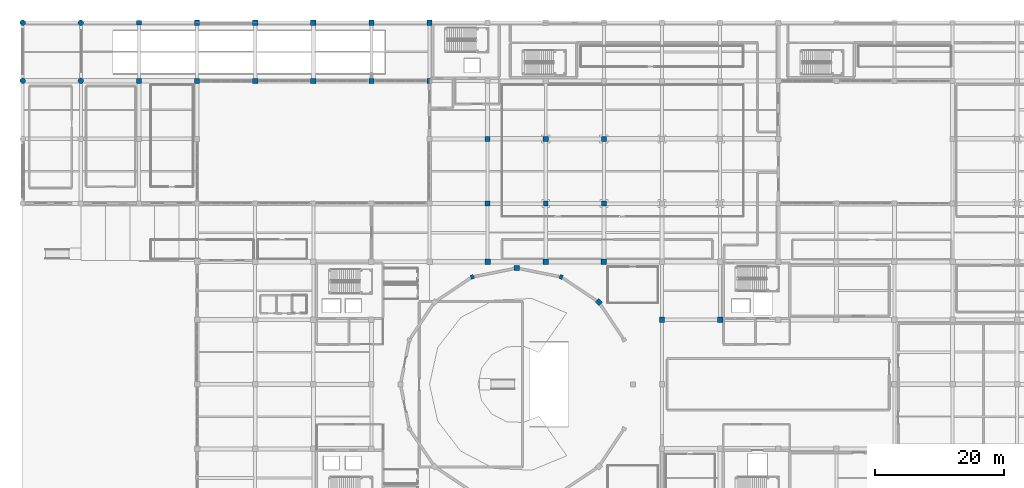
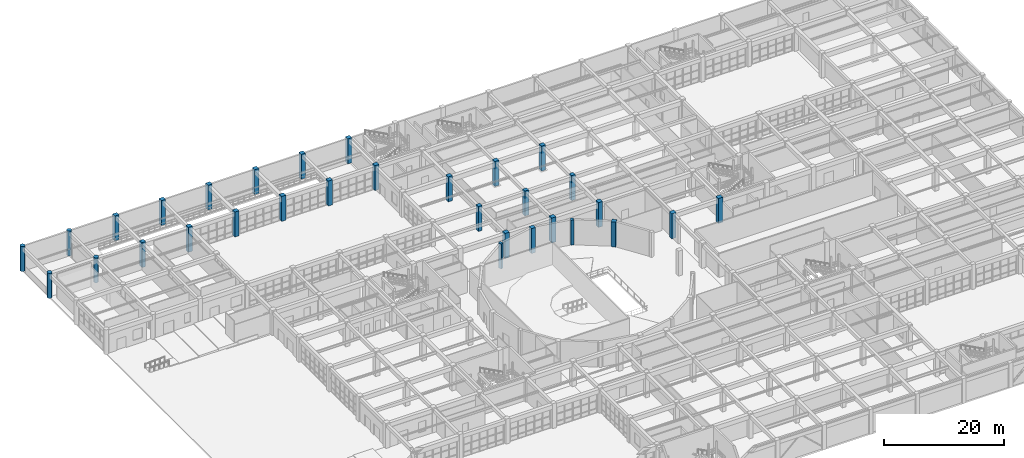
# One storey, part 10 of 128: 31 columns.
"""IFC4 building model written with IfcOpenShell, lengths in metres."""

import ifcopenshell
import ifcopenshell.guid

model = None  # the IFC model being written
_history = None  # IfcOwnerHistory: only IFC2X3 demands one
_inside = {}  # id of a spatial element -> (the spatial element, [elements in it])
_under = {}  # id of a project, library or spatial element -> (it, [spatial elements below it])
_declared = {}  # id of a project -> (the project, [libraries it declares])
_typed = {}  # id of a type object -> (the type object, [elements of that type])
_made_of = {}  # id of a material, layer set ... -> (it, [elements and type objects made of it])


def new_model(schema):
    """Start an empty IFC model of exactly this schema.

    Asked for "IFC4X3", IfcOpenShell would pick the latest addendum, in which some entities
    have other attributes; the version numbers below select the first issue.
    IFC2X3 requires an IfcOwnerHistory on every rooted entity: one is made here for all.
    """
    global model, _history
    if schema == "IFC4X3":
        model = ifcopenshell.file(schema_version=(4, 3, 0, 0))
    else:
        model = ifcopenshell.file(schema=schema)
    _inside.clear()
    _under.clear()
    _declared.clear()
    _typed.clear()
    _made_of.clear()
    _history = None
    if model.schema == "IFC2X3":
        org = make("IfcOrganization", Name="unknown")
        user = make(
            "IfcPersonAndOrganization",
            ThePerson=make("IfcPerson", FamilyName="unknown"),
            TheOrganization=org,
        )
        app = make(
            "IfcApplication",
            ApplicationDeveloper=org,
            Version="unknown",
            ApplicationFullName="unknown",
            ApplicationIdentifier="unknown",
        )
        _history = make(
            "IfcOwnerHistory",
            OwningUser=user,
            OwningApplication=app,
            ChangeAction="ADDED",
            CreationDate=0,
        )
    return model


def make(cls, **values):
    """One entity of the class cls with the attributes given. An attribute that is None is left unset."""
    return model.create_entity(
        cls, **{name: value for name, value in values.items() if value is not None}
    )


def rooted(cls, **values):
    """An entity with a GlobalId (a new one), such as an element, a storey or a relation."""
    return make(cls, GlobalId=ifcopenshell.guid.new(), OwnerHistory=_history, **values)


def si_unit(unit_type, name, prefix=None):
    """IfcSIUnit, for example si_unit("LENGTHUNIT", "METRE", prefix="MILLI")."""
    return make("IfcSIUnit", UnitType=unit_type, Prefix=prefix, Name=name)


def assignment(units):
    """IfcUnitAssignment: the units of a project."""
    return None if units is None else make("IfcUnitAssignment", Units=units)


def point(xyz):
    """IfcCartesianPoint."""
    return None if xyz is None else make("IfcCartesianPoint", Coordinates=xyz)


def direction(xyz):
    """IfcDirection."""
    return None if xyz is None else make("IfcDirection", DirectionRatios=xyz)


def frame(location, z_axis=None, x_axis=None):
    """IfcAxis2Placement3D, a coordinate frame: its origin and axes. An axis left out is left unset."""
    return make(
        "IfcAxis2Placement3D",
        Location=point(location),
        Axis=direction(z_axis),
        RefDirection=direction(x_axis),
    )


def frame_2d(location, x_axis=None):
    """IfcAxis2Placement2D, a coordinate frame in the plane: its origin and x axis."""
    return make(
        "IfcAxis2Placement2D", Location=point(location), RefDirection=direction(x_axis)
    )


def origin():
    """The frame at (0, 0, 0) with its axes left unset."""
    return frame((0.0, 0.0, 0.0))


def origin_2d():
    """The frame at (0, 0) in the plane with its x axis left unset."""
    return frame_2d((0.0, 0.0))


def place(relative_to, where):
    """IfcLocalPlacement: puts the frame where relative to a parent placement (None: the world)."""
    return make(
        "IfcLocalPlacement", PlacementRelTo=relative_to, RelativePlacement=where
    )


def context(
    kind, dimensions, precision=None, world=None, true_north=None, identifier=None
):
    """IfcGeometricRepresentationContext, for example the 3D "Model" context."""
    return make(
        "IfcGeometricRepresentationContext",
        ContextIdentifier=identifier,
        ContextType=kind,
        CoordinateSpaceDimension=dimensions,
        Precision=precision,
        WorldCoordinateSystem=world,
        TrueNorth=true_north,
    )


def subcontext(parent, identifier, kind, view, scale=None):
    """IfcGeometricRepresentationSubContext, for example "Body" below "Model"."""
    return make(
        "IfcGeometricRepresentationSubContext",
        ContextIdentifier=identifier,
        ContextType=kind,
        ParentContext=parent,
        TargetScale=scale,
        TargetView=view,
    )


def project(units=None, contexts=None):
    """IfcProject with its units and contexts."""
    return rooted(
        "IfcProject",
        Name="project",
        RepresentationContexts=contexts,
        UnitsInContext=assignment(units),
    )


def spatial(cls, under=None, at=None, **own):
    """A site, building, storey or space (cls), placed at a placement, below another one or the project."""
    s = rooted(cls, ObjectPlacement=at, **own)
    if under is not None:
        _under.setdefault(under.id(), (under, []))[1].append(s)
    return s


def profile(cls, at=None, kind="AREA", **sizes):
    """A parametric profile (cls). Its sizes go by their IFC names, for example OverallWidth=200.0."""
    return make(cls, ProfileType=kind, Position=at, **sizes)


def rectangle(**sizes):
    """IfcRectangleProfileDef."""
    return profile("IfcRectangleProfileDef", **sizes)


def circle(**sizes):
    """IfcCircleProfileDef."""
    return profile("IfcCircleProfileDef", **sizes)


def extrude(swept, where, along, depth):
    """IfcExtrudedAreaSolid: the profile swept, set in the frame where, extruded along a direction by depth."""
    return make(
        "IfcExtrudedAreaSolid",
        SweptArea=swept,
        Position=where,
        ExtrudedDirection=direction(along),
        Depth=depth,
    )


def shape(context_of_items, identifier, shape_type, items):
    """IfcShapeRepresentation: the items that make up one representation, for example the "Body"."""
    return make(
        "IfcShapeRepresentation",
        ContextOfItems=context_of_items,
        RepresentationIdentifier=identifier,
        RepresentationType=shape_type,
        Items=items,
    )


def material(Name=None, Category=None):
    """IfcMaterial."""
    return make("IfcMaterial", Name=Name, Category=Category)


def material_profile(
    of_material, cross_section, Name=None, Category=None, Priority=None
):
    """IfcMaterialProfile: a cross section and its material."""
    return make(
        "IfcMaterialProfile",
        Name=Name,
        Material=of_material,
        Profile=cross_section,
        Priority=Priority,
        Category=Category,
    )


def profile_set(profiles, Name=None, composite=None):
    """IfcMaterialProfileSet."""
    return make(
        "IfcMaterialProfileSet",
        Name=Name,
        MaterialProfiles=profiles,
        CompositeProfile=composite,
    )


def made_of(thing, what):
    """Note that an element or type object is made of a material, layer set ...; save() writes the relation."""
    if what is not None:
        _made_of.setdefault(what.id(), (what, []))[1].append(thing)
    return thing


def type_object(cls, material=None, **own):
    """A type object (cls), such as IfcWallType, which elements share."""
    return made_of(rooted(cls, **own), material)


def element(
    cls,
    number,
    at=None,
    inside=None,
    cuts=None,
    type_object=None,
    material=None,
    context=None,
    identifier="Body",
    shape_type=None,
    held_by="IfcProductDefinitionShape",
    body=None,
    shapes=None,
    **own,
):
    """One element of the class cls, such as IfcWall. Its Tag is "e" and its number.

    at: its placement. inside: the storey or other place that contains it. cuts: it is an
    opening in that element (IfcRelVoidsElement). A single representation is given by context,
    identifier, shape_type and body (its items); several are given by shapes. held_by: the class
    of the entity that holds the representations. save() writes the other relations.
    """
    e = rooted(cls, Tag="e%d" % number, ObjectPlacement=at, **own)
    if body is not None:
        shapes = [shape(context, identifier, shape_type, body)]
    if shapes is not None:
        e.Representation = make(held_by, Representations=shapes)
    if inside is not None:
        _inside.setdefault(inside.id(), (inside, []))[1].append(e)
    if cuts is not None:
        rooted(
            "IfcRelVoidsElement", RelatingBuildingElement=cuts, RelatedOpeningElement=e
        )
    if type_object is not None:
        _typed.setdefault(type_object.id(), (type_object, []))[1].append(e)
    return made_of(e, material)


def aggregate(whole, parts):
    """IfcRelAggregates: a whole, such as a stair, and the parts it consists of."""
    return rooted("IfcRelAggregates", RelatingObject=whole, RelatedObjects=parts)


def save(model, path):
    """Write the relations noted so far, then the file.

    IfcRelAggregates (storeys below a building ...), IfcRelContainedInSpatialStructure (elements
    in a storey), IfcRelDefinesByType, IfcRelAssociatesMaterial and IfcRelDeclares: one each for
    every whole, place, type object, material and project.
    """
    for whole, parts in _under.values():
        aggregate(whole, parts)
    for where, things in _inside.values():
        rooted(
            "IfcRelContainedInSpatialStructure",
            RelatedElements=things,
            RelatingStructure=where,
        )
    for kind, things in _typed.values():
        rooted("IfcRelDefinesByType", RelatedObjects=things, RelatingType=kind)
    for what, things in _made_of.values():
        rooted("IfcRelAssociatesMaterial", RelatedObjects=things, RelatingMaterial=what)
    for by, libraries in _declared.values():
        rooted("IfcRelDeclares", RelatingContext=by, RelatedDefinitions=libraries)
    model.write(path)


model = new_model("IFC4")

# Units and contexts
model_context = context("Model", 3, precision=1e-05, world=origin(), true_north=direction((0.0, 1.0)))
body_context = subcontext(model_context, "Body", "Model", "MODEL_VIEW")
ifc_project = project(units=[si_unit("LENGTHUNIT", "METRE"), si_unit("AREAUNIT", "SQUARE_METRE"), si_unit("VOLUMEUNIT", "CUBIC_METRE"), si_unit("PLANEANGLEUNIT", "RADIAN"), si_unit("MASSUNIT", "GRAM", prefix="KILO")], contexts=[model_context])

# Site, building, storey
site_placement = place(None, origin())
site = spatial("IfcSite", under=ifc_project, at=site_placement, CompositionType="ELEMENT")
building_placement = place(site_placement, origin())
building = spatial("IfcBuilding", under=site, at=building_placement, Name="Miravela Opera House", CompositionType="ELEMENT")
storey_placement = place(building_placement, origin())
storey = spatial("IfcBuildingStorey", under=building, at=storey_placement, Name="L00", CompositionType="ELEMENT", Elevation=0.0)

# Columns
ifc_material_1 = material(Name="Concrete C35/45", Category="concrete")
ifc_material_profile_1 = material_profile(ifc_material_1, rectangle(XDim=0.75, YDim=0.75, at=origin_2d()), Name="RC-COL-750X750")
ifc_profile_set_1 = profile_set([ifc_material_profile_1])
column_type_1 = type_object("IfcColumnType", Name="STR-COL-RC750", PredefinedType="COLUMN", material=ifc_profile_set_1)
for number, where, z_axis, x_axis, name in (
    (1, (81.0, 84.0, 0.0), (0.0, 0.0, 1.0), (1.0, 0.0, 0.0), "Column C-10J (L00)"),
    (2, (90.0, 84.0, 0.0), (0.0, 0.0, 1.0), (1.0, 0.0, 0.0), "Column C-11J (L00)"),
    (3, (18.0, 103.0, 0.0), (0.0, 0.0, 1.0), (1.0, 0.0, 0.0), "Column C-3L (L00)"),
    (4, (18.0, 112.0, 0.0), (0.0, 0.0, 1.0), (1.0, 0.0, 0.0), "Column C-3M (L00)"),
    (5, (72.0, 84.0, 0.0), (0.0, 0.0, 1.0), (1.0, 0.0, 0.0), "Column C-9J (L00)"),
):
    element("IfcColumn", number, at=place(storey_placement, frame(where, z_axis=z_axis, x_axis=x_axis)), inside=storey, type_object=column_type_1, Name=name, PredefinedType="COLUMN", context=body_context, shape_type="SweptSolid", body=[
        extrude(rectangle(XDim=0.75, YDim=0.75, at=origin_2d()), origin(), (0.0, 0.0, 1.0), 5.10009765625),
    ])
ifc_material_2 = material(Name="Concrete C40/50", Category="concrete")
ifc_material_profile_2 = material_profile(ifc_material_2, rectangle(XDim=0.800048828125, YDim=0.800048828125, at=origin_2d()), Name="RC-COL-800X800")
ifc_profile_set_2 = profile_set([ifc_material_profile_2])
column_type_2 = type_object("IfcColumnType", Name="STR-COL-RC800", PredefinedType="COLUMN", material=ifc_profile_set_2)
for number, where, z_axis, x_axis, name in (
    (6, (81.0, 94.0, 0.0), (0.0, 0.0, 1.0), (1.0, 0.0, 0.0), "Column C-10K (L00)"),
    (7, (90.0, 94.0, 0.0), (0.0, 0.0, 1.0), (1.0, 0.0, 0.0), "Column C-11K (L00)"),
    (8, (27.0, 103.0, 0.0), (0.0, 0.0, 1.0), (1.0, 0.0, 0.0), "Column C-4L (L00)"),
    (9, (27.0, 112.0, 0.0), (0.0, 0.0, 1.0), (1.0, 0.0, 0.0), "Column C-4M (L00)"),
    (10, (36.0, 103.0, 0.0), (0.0, 0.0, 1.0), (1.0, 0.0, 0.0), "Column C-5L (L00)"),
    (11, (36.0, 112.0, 0.0), (0.0, 0.0, 1.0), (1.0, 0.0, 0.0), "Column C-5M (L00)"),
    (12, (45.0, 103.0, 0.0), (0.0, 0.0, 1.0), (1.0, 0.0, 0.0), "Column C-6L (L00)"),
    (13, (45.0, 112.0, 0.0), (0.0, 0.0, 1.0), (1.0, 0.0, 0.0), "Column C-6M (L00)"),
    (14, (54.0, 103.0, 0.0), (0.0, 0.0, 1.0), (1.0, 0.0, 0.0), "Column C-7L (L00)"),
    (15, (54.0, 112.0, 0.0), (0.0, 0.0, 1.0), (1.0, 0.0, 0.0), "Column C-7M (L00)"),
    (16, (63.0, 103.0, 0.0), (0.0, 0.0, 1.0), (1.0, 0.0, 0.0), "Column C-8L (L00)"),
    (17, (63.0, 112.0, 0.0), (0.0, 0.0, 1.0), (1.0, 0.0, 0.0), "Column C-8M (L00)"),
    (18, (72.0, 94.0, 0.0), (0.0, 0.0, 1.0), (1.0, 0.0, 0.0), "Column C-9K (L00)"),
):
    element("IfcColumn", number, at=place(storey_placement, frame(where, z_axis=z_axis, x_axis=x_axis)), inside=storey, type_object=column_type_2, Name=name, PredefinedType="COLUMN", context=body_context, shape_type="SweptSolid", body=[
        extrude(rectangle(XDim=0.800048828125, YDim=0.800048828125, at=origin_2d()), origin(), (0.0, 0.0, 1.0), 5.10009765625),
    ])
ifc_material_profile_3 = material_profile(ifc_material_2, rectangle(XDim=0.85009765625, YDim=0.85009765625, at=origin_2d()), Name="RC-COL-850X850")
ifc_profile_set_3 = profile_set([ifc_material_profile_3])
column_type_3 = type_object("IfcColumnType", Name="STR-COL-RC850", PredefinedType="COLUMN", material=ifc_profile_set_3)
for number, where, z_axis, x_axis, name in (
    (19, (81.0, 75.0, 0.0), (0.0, 0.0, 1.0), (1.0, 0.0, 0.0), "Column C-10I (L00)"),
    (20, (90.0, 75.0, 0.0), (0.0, 0.0, 1.0), (1.0, 0.0, 0.0), "Column C-11I (L00)"),
    (21, (99.0, 66.0, 0.0), (0.0, 0.0, 1.0), (1.0, 0.0, 0.0), "Column C-12H (L00)"),
    (22, (108.0, 66.0, 0.0), (0.0, 0.0, 1.0), (1.0, 0.0, 0.0), "Column C-13H (L00)"),
    (23, (72.0, 75.0, 0.0), (0.0, 0.0, 1.0), (1.0, 0.0, 0.0), "Column C-9I (L00)"),
):
    element("IfcColumn", number, at=place(storey_placement, frame(where, z_axis=z_axis, x_axis=x_axis)), inside=storey, type_object=column_type_3, Name=name, PredefinedType="COLUMN", context=body_context, shape_type="SweptSolid", body=[
        extrude(rectangle(XDim=0.85009765625, YDim=0.85009765625, at=origin_2d()), origin(), (0.0, 0.0, 1.0), 5.10009765625),
    ])
ifc_material_profile_4 = material_profile(ifc_material_2, circle(Radius=0.425048828125, at=origin_2d()), Name="RC-COL-D850")
ifc_profile_set_4 = profile_set([ifc_material_profile_4])
column_type_4 = type_object("IfcColumnType", Name="STR-COL-RCD850", PredefinedType="COLUMN", material=ifc_profile_set_4)
for number, where, z_axis, x_axis, name in (
    (24, (0.0, 103.0, 0.0), (0.0, 0.0, 1.0), (1.0, 0.0, 0.0), "Column C-1L (L00)"),
    (25, (0.0, 112.0, 0.0), (0.0, 0.0, 1.0), (1.0, 0.0, 0.0), "Column C-1M (L00)"),
    (26, (9.0, 103.0, 0.0), (0.0, 0.0, 1.0), (1.0, 0.0, 0.0), "Column C-2L (L00)"),
    (27, (9.0, 112.0, 0.0), (0.0, 0.0, 1.0), (1.0, 0.0, 0.0), "Column C-2M (L00)"),
):
    element("IfcColumn", number, at=place(storey_placement, frame(where, z_axis=z_axis, x_axis=x_axis)), inside=storey, type_object=column_type_4, Name=name, PredefinedType="COLUMN", context=body_context, shape_type="SweptSolid", body=[
        extrude(circle(Radius=0.425048828125, at=origin_2d()), origin(), (0.0, 0.0, 1.0), 5.10009765625),
    ])
ifc_material_profile_5 = material_profile(ifc_material_1, rectangle(XDim=0.64990234375, YDim=0.5, at=origin_2d()), Name="RC-PIL-650X500")
ifc_profile_set_5 = profile_set([ifc_material_profile_5])
column_type_5 = type_object("IfcColumnType", Name="STR-PIL-RC650X500", PredefinedType="PILASTER", material=ifc_profile_set_5)
for number, where, z_axis, x_axis, name in (
    (28, (83.38818359375, 72.6298828125, 0.0), (0.0, 0.0, 1.0), (0.382683432365, 0.923879532511, 0.0), "Auditorium Drum Column DC-04 (L00)"),
    (29, (69.61181640625, 72.6298828125, 0.0), (0.0, 0.0, 1.0), (-0.382683432365, 0.923879532511, 0.0), "Auditorium Drum Column DC-06 (L00)"),
):
    element("IfcColumn", number, at=place(storey_placement, frame(where, z_axis=z_axis, x_axis=x_axis)), inside=storey, type_object=column_type_5, Name=name, PredefinedType="PILASTER", context=body_context, shape_type="SweptSolid", body=[
        extrude(rectangle(XDim=0.64990234375, YDim=0.5, at=origin_2d()), origin(), (0.0, 0.0, 1.0), 5.10009765625),
    ])
ifc_material_profile_6 = material_profile(ifc_material_2, rectangle(XDim=0.800048828125, YDim=0.800048828125, at=origin_2d()), Name="RC-COL-800X800")
ifc_profile_set_6 = profile_set([ifc_material_profile_6])
column_type_6 = type_object("IfcColumnType", Name="STR-PIL-RC800", PredefinedType="PILASTER", material=ifc_profile_set_6)
for number, where, z_axis, x_axis, name in (
    (30, (89.227783203125, 68.727783203125, 0.0), (0.0, 0.0, 1.0), (0.707106781187, 0.707106781187, 0.0), "Auditorium Drum Column DC-03 (L00)"),
    (31, (76.5, 74.0, 0.0), (0.0, 0.0, 1.0), (0.0, 1.0, 0.0), "Auditorium Drum Column DC-05 (L00)"),
):
    element("IfcColumn", number, at=place(storey_placement, frame(where, z_axis=z_axis, x_axis=x_axis)), inside=storey, type_object=column_type_6, Name=name, PredefinedType="PILASTER", context=body_context, shape_type="SweptSolid", body=[
        extrude(rectangle(XDim=0.800048828125, YDim=0.800048828125, at=origin_2d()), origin(), (0.0, 0.0, 1.0), 5.10009765625),
    ])

save(model, "model.ifc")
